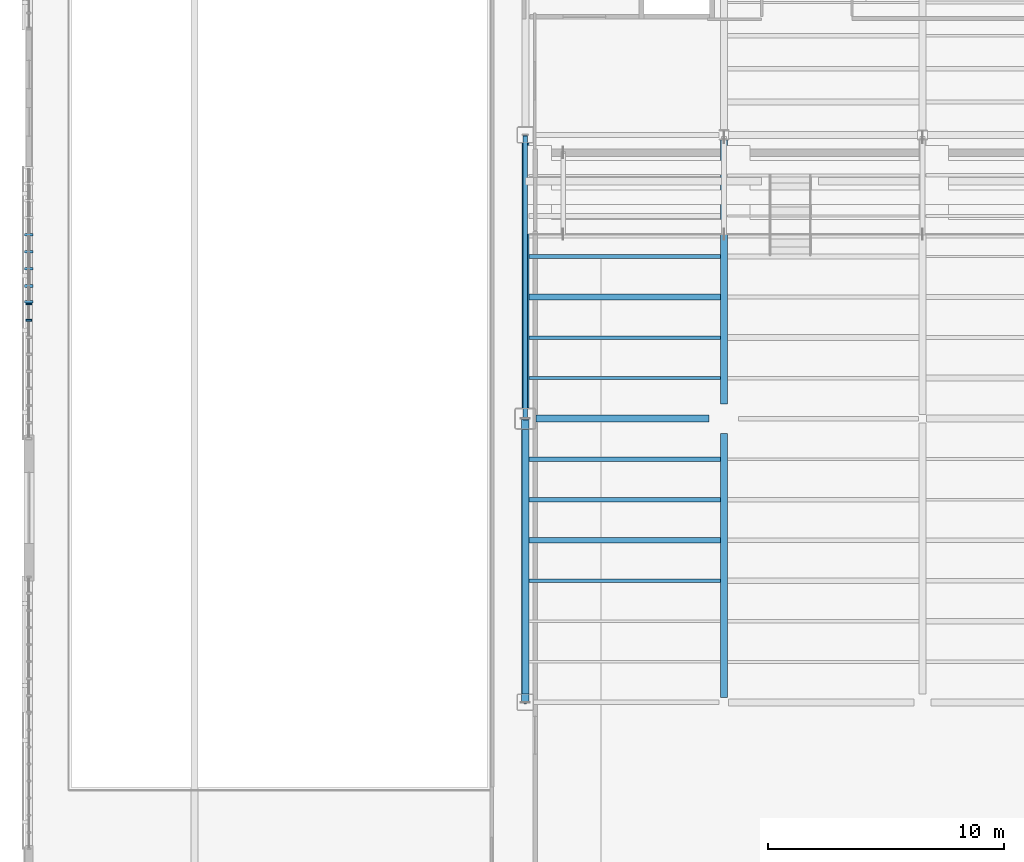
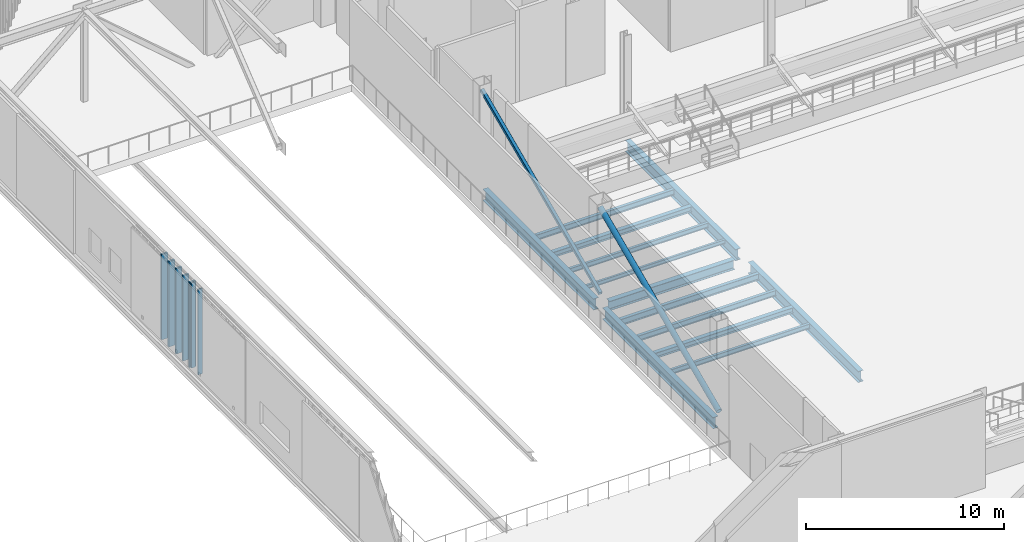
# One storey, part 17 of 135: 13 beams, 9 members, 2 elements without a shape of their own.
"""IFC4 building model written with IfcOpenShell, lengths in metres."""

import ifcopenshell
import ifcopenshell.guid

model = None  # the IFC model being written
_history = None  # IfcOwnerHistory: only IFC2X3 demands one
_inside = {}  # id of a spatial element -> (the spatial element, [elements in it])
_under = {}  # id of a project, library or spatial element -> (it, [spatial elements below it])
_declared = {}  # id of a project -> (the project, [libraries it declares])
_typed = {}  # id of a type object -> (the type object, [elements of that type])
_made_of = {}  # id of a material, layer set ... -> (it, [elements and type objects made of it])


def new_model(schema):
    """Start an empty IFC model of exactly this schema.

    Asked for "IFC4X3", IfcOpenShell would pick the latest addendum, in which some entities
    have other attributes; the version numbers below select the first issue.
    IFC2X3 requires an IfcOwnerHistory on every rooted entity: one is made here for all.
    """
    global model, _history
    if schema == "IFC4X3":
        model = ifcopenshell.file(schema_version=(4, 3, 0, 0))
    else:
        model = ifcopenshell.file(schema=schema)
    _inside.clear()
    _under.clear()
    _declared.clear()
    _typed.clear()
    _made_of.clear()
    _history = None
    if model.schema == "IFC2X3":
        org = make("IfcOrganization", Name="unknown")
        user = make(
            "IfcPersonAndOrganization",
            ThePerson=make("IfcPerson", FamilyName="unknown"),
            TheOrganization=org,
        )
        app = make(
            "IfcApplication",
            ApplicationDeveloper=org,
            Version="unknown",
            ApplicationFullName="unknown",
            ApplicationIdentifier="unknown",
        )
        _history = make(
            "IfcOwnerHistory",
            OwningUser=user,
            OwningApplication=app,
            ChangeAction="ADDED",
            CreationDate=0,
        )
    return model


def make(cls, **values):
    """One entity of the class cls with the attributes given. An attribute that is None is left unset."""
    return model.create_entity(
        cls, **{name: value for name, value in values.items() if value is not None}
    )


def rooted(cls, **values):
    """An entity with a GlobalId (a new one), such as an element, a storey or a relation."""
    return make(cls, GlobalId=ifcopenshell.guid.new(), OwnerHistory=_history, **values)


def si_unit(unit_type, name, prefix=None):
    """IfcSIUnit, for example si_unit("LENGTHUNIT", "METRE", prefix="MILLI")."""
    return make("IfcSIUnit", UnitType=unit_type, Prefix=prefix, Name=name)


def assignment(units):
    """IfcUnitAssignment: the units of a project."""
    return None if units is None else make("IfcUnitAssignment", Units=units)


def point(xyz):
    """IfcCartesianPoint."""
    return None if xyz is None else make("IfcCartesianPoint", Coordinates=xyz)


def direction(xyz):
    """IfcDirection."""
    return None if xyz is None else make("IfcDirection", DirectionRatios=xyz)


def frame(location, z_axis=None, x_axis=None):
    """IfcAxis2Placement3D, a coordinate frame: its origin and axes. An axis left out is left unset."""
    return make(
        "IfcAxis2Placement3D",
        Location=point(location),
        Axis=direction(z_axis),
        RefDirection=direction(x_axis),
    )


def frame_2d(location, x_axis=None):
    """IfcAxis2Placement2D, a coordinate frame in the plane: its origin and x axis."""
    return make(
        "IfcAxis2Placement2D", Location=point(location), RefDirection=direction(x_axis)
    )


def origin():
    """The frame at (0, 0, 0) with its axes left unset."""
    return frame((0.0, 0.0, 0.0))


def origin_2d():
    """The frame at (0, 0) in the plane with its x axis left unset."""
    return frame_2d((0.0, 0.0))


def place(relative_to, where):
    """IfcLocalPlacement: puts the frame where relative to a parent placement (None: the world)."""
    return make(
        "IfcLocalPlacement", PlacementRelTo=relative_to, RelativePlacement=where
    )


def context(
    kind, dimensions, precision=None, world=None, true_north=None, identifier=None
):
    """IfcGeometricRepresentationContext, for example the 3D "Model" context."""
    return make(
        "IfcGeometricRepresentationContext",
        ContextIdentifier=identifier,
        ContextType=kind,
        CoordinateSpaceDimension=dimensions,
        Precision=precision,
        WorldCoordinateSystem=world,
        TrueNorth=true_north,
    )


def subcontext(parent, identifier, kind, view, scale=None):
    """IfcGeometricRepresentationSubContext, for example "Body" below "Model"."""
    return make(
        "IfcGeometricRepresentationSubContext",
        ContextIdentifier=identifier,
        ContextType=kind,
        ParentContext=parent,
        TargetScale=scale,
        TargetView=view,
    )


def project(units=None, contexts=None):
    """IfcProject with its units and contexts."""
    return rooted(
        "IfcProject",
        Name="project",
        RepresentationContexts=contexts,
        UnitsInContext=assignment(units),
    )


def spatial(cls, under=None, at=None, **own):
    """A site, building, storey or space (cls), placed at a placement, below another one or the project."""
    s = rooted(cls, ObjectPlacement=at, **own)
    if under is not None:
        _under.setdefault(under.id(), (under, []))[1].append(s)
    return s


def profile(cls, at=None, kind="AREA", **sizes):
    """A parametric profile (cls). Its sizes go by their IFC names, for example OverallWidth=200.0."""
    return make(cls, ProfileType=kind, Position=at, **sizes)


def rectangle(**sizes):
    """IfcRectangleProfileDef."""
    return profile("IfcRectangleProfileDef", **sizes)


def hollow_rectangle(**sizes):
    """IfcRectangleHollowProfileDef."""
    return profile("IfcRectangleHollowProfileDef", **sizes)


def hollow_circle(**sizes):
    """IfcCircleHollowProfileDef."""
    return profile("IfcCircleHollowProfileDef", **sizes)


def i_section(**sizes):
    """IfcIShapeProfileDef."""
    return profile("IfcIShapeProfileDef", **sizes)


def extrude(swept, where, along, depth):
    """IfcExtrudedAreaSolid: the profile swept, set in the frame where, extruded along a direction by depth."""
    return make(
        "IfcExtrudedAreaSolid",
        SweptArea=swept,
        Position=where,
        ExtrudedDirection=direction(along),
        Depth=depth,
    )


def shape(context_of_items, identifier, shape_type, items):
    """IfcShapeRepresentation: the items that make up one representation, for example the "Body"."""
    return make(
        "IfcShapeRepresentation",
        ContextOfItems=context_of_items,
        RepresentationIdentifier=identifier,
        RepresentationType=shape_type,
        Items=items,
    )


def material(Name=None, Category=None):
    """IfcMaterial."""
    return make("IfcMaterial", Name=Name, Category=Category)


def material_profile(
    of_material, cross_section, Name=None, Category=None, Priority=None
):
    """IfcMaterialProfile: a cross section and its material."""
    return make(
        "IfcMaterialProfile",
        Name=Name,
        Material=of_material,
        Profile=cross_section,
        Priority=Priority,
        Category=Category,
    )


def profile_set(profiles, Name=None, composite=None):
    """IfcMaterialProfileSet."""
    return make(
        "IfcMaterialProfileSet",
        Name=Name,
        MaterialProfiles=profiles,
        CompositeProfile=composite,
    )


def made_of(thing, what):
    """Note that an element or type object is made of a material, layer set ...; save() writes the relation."""
    if what is not None:
        _made_of.setdefault(what.id(), (what, []))[1].append(thing)
    return thing


def type_object(cls, material=None, **own):
    """A type object (cls), such as IfcWallType, which elements share."""
    return made_of(rooted(cls, **own), material)


def element(
    cls,
    number,
    at=None,
    inside=None,
    cuts=None,
    type_object=None,
    material=None,
    context=None,
    identifier="Body",
    shape_type=None,
    held_by="IfcProductDefinitionShape",
    body=None,
    shapes=None,
    **own,
):
    """One element of the class cls, such as IfcWall. Its Tag is "e" and its number.

    at: its placement. inside: the storey or other place that contains it. cuts: it is an
    opening in that element (IfcRelVoidsElement). A single representation is given by context,
    identifier, shape_type and body (its items); several are given by shapes. held_by: the class
    of the entity that holds the representations. save() writes the other relations.
    """
    e = rooted(cls, Tag="e%d" % number, ObjectPlacement=at, **own)
    if body is not None:
        shapes = [shape(context, identifier, shape_type, body)]
    if shapes is not None:
        e.Representation = make(held_by, Representations=shapes)
    if inside is not None:
        _inside.setdefault(inside.id(), (inside, []))[1].append(e)
    if cuts is not None:
        rooted(
            "IfcRelVoidsElement", RelatingBuildingElement=cuts, RelatedOpeningElement=e
        )
    if type_object is not None:
        _typed.setdefault(type_object.id(), (type_object, []))[1].append(e)
    return made_of(e, material)


def aggregate(whole, parts):
    """IfcRelAggregates: a whole, such as a stair, and the parts it consists of."""
    return rooted("IfcRelAggregates", RelatingObject=whole, RelatedObjects=parts)


def save(model, path):
    """Write the relations noted so far, then the file.

    IfcRelAggregates (storeys below a building ...), IfcRelContainedInSpatialStructure (elements
    in a storey), IfcRelDefinesByType, IfcRelAssociatesMaterial and IfcRelDeclares: one each for
    every whole, place, type object, material and project.
    """
    for whole, parts in _under.values():
        aggregate(whole, parts)
    for where, things in _inside.values():
        rooted(
            "IfcRelContainedInSpatialStructure",
            RelatedElements=things,
            RelatingStructure=where,
        )
    for kind, things in _typed.values():
        rooted("IfcRelDefinesByType", RelatedObjects=things, RelatingType=kind)
    for what, things in _made_of.values():
        rooted("IfcRelAssociatesMaterial", RelatedObjects=things, RelatingMaterial=what)
    for by, libraries in _declared.values():
        rooted("IfcRelDeclares", RelatingContext=by, RelatedDefinitions=libraries)
    model.write(path)


model = new_model("IFC4")

# Units and contexts
model_context = context("Model", 3, precision=1e-05, world=origin(), true_north=direction((0.0, 1.0)))
body_context = subcontext(model_context, "Body", "Model", "MODEL_VIEW")
ifc_project = project(units=[si_unit("LENGTHUNIT", "METRE"), si_unit("AREAUNIT", "SQUARE_METRE"), si_unit("VOLUMEUNIT", "CUBIC_METRE"), si_unit("PLANEANGLEUNIT", "RADIAN"), si_unit("MASSUNIT", "GRAM", prefix="KILO")], contexts=[model_context])

# Site, building, storey
site_placement = place(None, origin())
site = spatial("IfcSite", under=ifc_project, at=site_placement, CompositionType="ELEMENT")
building_placement = place(site_placement, origin())
building = spatial("IfcBuilding", under=site, at=building_placement, Name="Larkvane Passage Sports Hall", CompositionType="ELEMENT")
storey_placement = place(building_placement, frame((0.0, 0.0, 10.800048828125)))
storey = spatial("IfcBuildingStorey", under=building, at=storey_placement, Name="L02", CompositionType="ELEMENT", Elevation=10.800048828125)

# Beams
ifc_material_1 = material(Name="Steel S460N", Category="steel")
ifc_material_profile_1 = material_profile(ifc_material_1, i_section(OverallWidth=0.300048828125, OverallDepth=0.587890625, WebThickness=0.011962890625, FlangeThickness=0.02001953125, FilletRadius=0.02197265625, at=origin_2d()), Name="H-588x300x12x20")
ifc_profile_set_1 = profile_set([ifc_material_profile_1], Name="Steel S460N")
beam_type_1 = type_object("IfcBeamType", Name="BM-STL-H588", PredefinedType="BEAM", material=ifc_profile_set_1)
beam_1_placement = place(storey_placement, frame((35.25, 63.60009765625, -0.714111328125), z_axis=(1.0, 0.0, 0.0), x_axis=(0.0, 1.0, 0.0)))
element("IfcBeam", 1, at=beam_1_placement, inside=storey, type_object=beam_type_1, Name="Girder BM5-X-L02-H-0708", PredefinedType="BEAM", context=body_context, shape_type="SweptSolid", body=[
    extrude(i_section(OverallWidth=0.300048828125, OverallDepth=0.587890625, WebThickness=0.011962890625, FlangeThickness=0.02001953125, FilletRadius=0.02197265625, at=origin_2d()), origin(), (0.0, 0.0, 1.0), 7.324951171875),
])
ifc_material_profile_2 = material_profile(ifc_material_1, i_section(OverallWidth=0.300048828125, OverallDepth=0.69189453125, WebThickness=0.012939453125, FlangeThickness=0.02001953125, FilletRadius=0.02197265625, at=origin_2d()), Name="H-692x300x13x20")
ifc_profile_set_2 = profile_set([ifc_material_profile_2], Name="Steel S460N")
beam_type_2 = type_object("IfcBeamType", Name="BM-STL-H692", PredefinedType="BEAM", material=ifc_profile_set_2)
beam_2_placement = place(storey_placement, frame((34.800048828125, 51.949951171875, -0.76611328125), z_axis=(0.0, 1.0, 0.0), x_axis=(-1.0, 0.0, 0.0)))
element("IfcBeam", 2, at=beam_2_placement, inside=storey, type_object=beam_type_2, Name="Girder BM5-Y-L02-6-0738", PredefinedType="BEAM", context=body_context, shape_type="SweptSolid", body=[
    extrude(i_section(OverallWidth=0.300048828125, OverallDepth=0.69189453125, WebThickness=0.012939453125, FlangeThickness=0.02001953125, FilletRadius=0.02197265625, at=origin_2d()), origin(), (0.0, 0.0, 1.0), 11.199951171875),
])
beam_3_placement = place(storey_placement, frame((43.199951171875, 51.800048828125, -0.76611328125), z_axis=(0.0, 1.0, 0.0), x_axis=(-1.0, 0.0, 0.0)))
element("IfcBeam", 3, at=beam_3_placement, inside=storey, type_object=beam_type_2, Name="Girder BM5-Y-L02-7-0742", PredefinedType="BEAM", context=body_context, shape_type="SweptSolid", body=[
    extrude(i_section(OverallWidth=0.300048828125, OverallDepth=0.69189453125, WebThickness=0.012939453125, FlangeThickness=0.02001953125, FilletRadius=0.02197265625, at=origin_2d()), origin(), (0.0, 0.0, 1.0), 11.175048828125),
])
ifc_material_profile_3 = material_profile(ifc_material_1, i_section(OverallWidth=0.300048828125, OverallDepth=0.699951171875, WebThickness=0.012939453125, FlangeThickness=0.02392578125, FilletRadius=0.02197265625, at=origin_2d()), Name="H-700x300x13x24")
ifc_profile_set_3 = profile_set([ifc_material_profile_3], Name="Steel S460N")
beam_type_3 = type_object("IfcBeamType", Name="BM-STL-H700", PredefinedType="BEAM", material=ifc_profile_set_3)
beam_4_placement = place(storey_placement, frame((34.800048828125, 64.050048828125, -0.77001953125), z_axis=(0.0, 1.0, 0.0), x_axis=(-1.0, 0.0, 0.0)))
element("IfcBeam", 4, at=beam_4_placement, inside=storey, type_object=beam_type_3, Name="Girder BM5-Y-L02-6-0739", PredefinedType="BEAM", context=body_context, shape_type="SweptSolid", body=[
    extrude(i_section(OverallWidth=0.300048828125, OverallDepth=0.699951171875, WebThickness=0.012939453125, FlangeThickness=0.02392578125, FilletRadius=0.02197265625, at=origin_2d()), origin(), (0.0, 0.0, 1.0), 11.199951171875),
])
beam_5_placement = place(storey_placement, frame((43.199951171875, 64.22509765625, -0.77001953125), z_axis=(0.0, 1.0, 0.0), x_axis=(-1.0, 0.0, 0.0)))
element("IfcBeam", 5, at=beam_5_placement, inside=storey, type_object=beam_type_3, Name="Girder BM5-Y-L02-7-0743", PredefinedType="BEAM", context=body_context, shape_type="SweptSolid", body=[
    extrude(i_section(OverallWidth=0.300048828125, OverallDepth=0.699951171875, WebThickness=0.012939453125, FlangeThickness=0.02392578125, FilletRadius=0.02197265625, at=origin_2d()), origin(), (0.0, 0.0, 1.0), 11.160888671875),
])

# Curtain wall, members
ifc_material_2 = material(Name="Thermally broken aluminium and low-E glazing", Category="aluminium")
curtain_wall_type_1 = type_object("IfcCurtainWallType", Name="CW-CLINIC", PredefinedType="USERDEFINED", material=ifc_material_2)
curtain_wall_1_placement = place(storey_placement, origin())
curtain_wall_1 = element("IfcCurtainWall", 6, at=curtain_wall_1_placement, inside=storey, type_object=curtain_wall_type_1, Name="Curtain wall CW5-L02-095", ObjectType="UNITISED CURTAIN WALL", PredefinedType="USERDEFINED")
ifc_material_3 = material(Name="Anodised aluminium 6063-T6", Category="aluminium")
ifc_material_profile_4 = material_profile(ifc_material_3, rectangle(XDim=0.110107421875, YDim=0.360107421875, at=origin_2d()), Name="ALU-MUL-110x360")
ifc_profile_set_4 = profile_set([ifc_material_profile_4], Name="Anodised aluminium 6063-T6")
member_type_1 = type_object("IfcMemberType", Name="CW-MUL-110x360", PredefinedType="MULLION", material=ifc_profile_set_4)
member_1_placement = place(storey_placement, frame((13.800048828125, 68.5439453125, 0.0), z_axis=(0.0, 0.0, 1.0), x_axis=(0.0, 1.0, 0.0)))
member_1 = element("IfcMember", 7, at=member_1_placement, type_object=member_type_1, Name="CW-05 mullion 1", PredefinedType="MULLION", context=body_context, shape_type="SweptSolid", body=[
    extrude(rectangle(XDim=0.110107421875, YDim=0.360107421875, at=origin_2d()), origin(), (0.0, 0.0, 1.0), 5.27783203125),
])
member_2_placement = place(storey_placement, frame((13.800048828125, 69.211181640625, 0.0), z_axis=(0.0, 0.0, 1.0), x_axis=(0.0, 1.0, 0.0)))
member_2 = element("IfcMember", 8, at=member_2_placement, type_object=member_type_1, Name="CW-05 mullion 2", PredefinedType="MULLION", context=body_context, shape_type="SweptSolid", body=[
    extrude(rectangle(XDim=0.110107421875, YDim=0.360107421875, at=origin_2d()), origin(), (0.0, 0.0, 1.0), 5.27783203125),
])
member_3_placement = place(storey_placement, frame((13.800048828125, 69.933349609375, 0.0), z_axis=(0.0, 0.0, 1.0), x_axis=(0.0, 1.0, 0.0)))
member_3 = element("IfcMember", 9, at=member_3_placement, type_object=member_type_1, Name="CW-05 mullion 3", PredefinedType="MULLION", context=body_context, shape_type="SweptSolid", body=[
    extrude(rectangle(XDim=0.110107421875, YDim=0.360107421875, at=origin_2d()), origin(), (0.0, 0.0, 1.0), 5.27783203125),
])
member_4_placement = place(storey_placement, frame((13.800048828125, 70.655517578125, 0.0), z_axis=(0.0, 0.0, 1.0), x_axis=(0.0, 1.0, 0.0)))
member_4 = element("IfcMember", 10, at=member_4_placement, type_object=member_type_1, Name="CW-05 mullion 4", PredefinedType="MULLION", context=body_context, shape_type="SweptSolid", body=[
    extrude(rectangle(XDim=0.110107421875, YDim=0.360107421875, at=origin_2d()), origin(), (0.0, 0.0, 1.0), 5.27783203125),
])
member_5_placement = place(storey_placement, frame((13.800048828125, 71.377685546875, 0.0), z_axis=(0.0, 0.0, 1.0), x_axis=(0.0, 1.0, 0.0)))
member_5 = element("IfcMember", 11, at=member_5_placement, type_object=member_type_1, Name="CW-05 mullion 5", PredefinedType="MULLION", context=body_context, shape_type="SweptSolid", body=[
    extrude(rectangle(XDim=0.110107421875, YDim=0.360107421875, at=origin_2d()), origin(), (0.0, 0.0, 1.0), 5.27783203125),
])
aggregate(curtain_wall_1, [member_1, member_2, member_3, member_4, member_5])

curtain_wall_type_2 = type_object("IfcCurtainWallType", Name="CW-STICK-FOYER", PredefinedType="USERDEFINED", material=ifc_material_2)
curtain_wall_2_placement = place(storey_placement, origin())
curtain_wall_2 = element("IfcCurtainWall", 12, at=curtain_wall_2_placement, inside=storey, type_object=curtain_wall_type_2, Name="Curtain wall CW5-L02-094", ObjectType="STICK CURTAIN WALL", PredefinedType="USERDEFINED")
ifc_material_profile_5 = material_profile(ifc_material_3, rectangle(XDim=0.080078125, YDim=0.25, at=origin_2d()), Name="ALU-MUL-80x250")
ifc_profile_set_5 = profile_set([ifc_material_profile_5], Name="Anodised aluminium 6063-T6")
member_type_2 = type_object("IfcMemberType", Name="CW-MUL-80x250", PredefinedType="MULLION", material=ifc_profile_set_5)
member_6_placement = place(storey_placement, frame((13.800048828125, 67.7666015625, 0.0), z_axis=(0.0, 0.0, 1.0), x_axis=(0.0, 1.0, 0.0)))
member_6 = element("IfcMember", 13, at=member_6_placement, type_object=member_type_2, Name="CW-03 mullion 8", PredefinedType="MULLION", context=body_context, shape_type="SweptSolid", body=[
    extrude(rectangle(XDim=0.080078125, YDim=0.25, at=origin_2d()), origin(), (0.0, 0.0, 1.0), 5.27783203125),
])
member_7_placement = place(storey_placement, frame((13.800048828125, 68.448974609375, 0.0), z_axis=(0.0, 0.0, 1.0), x_axis=(0.0, 1.0, 0.0)))
member_7 = element("IfcMember", 14, at=member_7_placement, type_object=member_type_2, Name="CW-03 mullion 9", PredefinedType="MULLION", context=body_context, shape_type="SweptSolid", body=[
    extrude(rectangle(XDim=0.080078125, YDim=0.25, at=origin_2d()), origin(), (0.0, 0.0, 1.0), 5.27783203125),
])
aggregate(curtain_wall_2, [member_6, member_7])

# Beams
ifc_material_4 = material(Name="Steel S355JR", Category="steel")
ifc_material_profile_6 = material_profile(ifc_material_4, i_section(OverallWidth=0.125, OverallDepth=0.25, WebThickness=0.006103515625, FlangeThickness=0.009033203125, FilletRadius=0.008056640625, at=origin_2d()), Name="H-250x125x6x9")
ifc_profile_set_6 = profile_set([ifc_material_profile_6], Name="Steel S355JR")
beam_type_4 = type_object("IfcBeamType", Name="JST-STL-H250", PredefinedType="JOIST", material=ifc_profile_set_6)
beam_6_placement = place(storey_placement, frame((34.949951171875, 65.314208984375, -0.545166015625), z_axis=(1.0, 0.0, 0.0), x_axis=(0.0, 1.0, 0.0)))
element("IfcBeam", 15, at=beam_6_placement, inside=storey, type_object=beam_type_4, Name="Composite joist L02 6/H-1", PredefinedType="JOIST", context=body_context, shape_type="SweptSolid", body=[
    extrude(i_section(OverallWidth=0.125, OverallDepth=0.25, WebThickness=0.006103515625, FlangeThickness=0.009033203125, FilletRadius=0.008056640625, at=origin_2d()), origin(), (0.0, 0.0, 1.0), 8.10009765625),
])
ifc_material_profile_7 = material_profile(ifc_material_4, i_section(OverallWidth=0.14990234375, OverallDepth=0.300048828125, WebThickness=0.006591796875, FlangeThickness=0.009033203125, FilletRadius=0.012939453125, at=origin_2d()), Name="H-300x150x6.5x9")
ifc_profile_set_7 = profile_set([ifc_material_profile_7], Name="Steel S355JR")
beam_type_5 = type_object("IfcBeamType", Name="JST-STL-H300", PredefinedType="JOIST", material=ifc_profile_set_7)
for number, where, z_axis, x_axis, name in (
    (16, (34.949951171875, 56.742919921875, -0.570068359375), (1.0, 0.0, 0.0), (0.0, 1.0, 0.0), "Composite joist L02 6/G-3"),
    (17, (34.949951171875, 67.028564453125, -0.570068359375), (1.0, 0.0, 0.0), (0.0, 1.0, 0.0), "Composite joist L02 6/H-2"),
):
    element("IfcBeam", number, at=place(storey_placement, frame(where, z_axis=z_axis, x_axis=x_axis)), inside=storey, type_object=beam_type_5, Name=name, PredefinedType="JOIST", context=body_context, shape_type="SweptSolid", body=[
        extrude(i_section(OverallWidth=0.14990234375, OverallDepth=0.300048828125, WebThickness=0.006591796875, FlangeThickness=0.009033203125, FilletRadius=0.012939453125, at=origin_2d()), origin(), (0.0, 0.0, 1.0), 8.10009765625),
    ])
ifc_material_profile_8 = material_profile(ifc_material_4, i_section(OverallWidth=0.25, OverallDepth=0.340087890625, WebThickness=0.009033203125, FlangeThickness=0.013916015625, FilletRadius=0.012939453125, at=origin_2d()), Name="H-340x250x9x14")
ifc_profile_set_8 = profile_set([ifc_material_profile_8], Name="Steel S355JR")
beam_type_6 = type_object("IfcBeamType", Name="JST-STL-H340", PredefinedType="JOIST", material=ifc_profile_set_8)
for number, where, z_axis, x_axis, name in (
    (18, (34.949951171875, 58.45703125, -0.590087890625), (1.0, 0.0, 0.0), (0.0, 1.0, 0.0), "Composite joist L02 6/G-4"),
    (19, (34.949951171875, 68.742919921875, -0.590087890625), (1.0, 0.0, 0.0), (0.0, 1.0, 0.0), "Composite joist L02 6/H-3"),
):
    element("IfcBeam", number, at=place(storey_placement, frame(where, z_axis=z_axis, x_axis=x_axis)), inside=storey, type_object=beam_type_6, Name=name, PredefinedType="JOIST", context=body_context, shape_type="SweptSolid", body=[
        extrude(i_section(OverallWidth=0.25, OverallDepth=0.340087890625, WebThickness=0.009033203125, FlangeThickness=0.013916015625, FilletRadius=0.012939453125, at=origin_2d()), origin(), (0.0, 0.0, 1.0), 8.10009765625),
    ])
ifc_material_profile_9 = material_profile(ifc_material_4, i_section(OverallWidth=0.175048828125, OverallDepth=0.35009765625, WebThickness=0.007080078125, FlangeThickness=0.010986328125, FilletRadius=0.012939453125, at=origin_2d()), Name="H-350x175x7x11")
ifc_profile_set_9 = profile_set([ifc_material_profile_9], Name="Steel S355JR")
beam_type_7 = type_object("IfcBeamType", Name="JST-STL-H350", PredefinedType="JOIST", material=ifc_profile_set_9)
for number, where, z_axis, x_axis, name in (
    (20, (34.949951171875, 60.17138671875, -0.594970703125), (1.0, 0.0, 0.0), (0.0, 1.0, 0.0), "Composite joist L02 6/G-5"),
    (21, (34.949951171875, 70.45703125, -0.594970703125), (1.0, 0.0, 0.0), (0.0, 1.0, 0.0), "Composite joist L02 6/H-4"),
):
    element("IfcBeam", number, at=place(storey_placement, frame(where, z_axis=z_axis, x_axis=x_axis)), inside=storey, type_object=beam_type_7, Name=name, PredefinedType="JOIST", context=body_context, shape_type="SweptSolid", body=[
        extrude(i_section(OverallWidth=0.175048828125, OverallDepth=0.35009765625, WebThickness=0.007080078125, FlangeThickness=0.010986328125, FilletRadius=0.012939453125, at=origin_2d()), origin(), (0.0, 0.0, 1.0), 8.10009765625),
    ])
ifc_material_profile_10 = material_profile(ifc_material_4, i_section(OverallWidth=0.199951171875, OverallDepth=0.39990234375, WebThickness=0.008056640625, FlangeThickness=0.012939453125, FilletRadius=0.012939453125, at=origin_2d()), Name="H-400x200x8x13")
ifc_profile_set_10 = profile_set([ifc_material_profile_10], Name="Steel S355JR")
beam_type_8 = type_object("IfcBeamType", Name="JST-STL-H400", PredefinedType="JOIST", material=ifc_profile_set_10)
beam_7_placement = place(storey_placement, frame((34.949951171875, 61.8857421875, -0.6201171875), z_axis=(1.0, 0.0, 0.0), x_axis=(0.0, 1.0, 0.0)))
element("IfcBeam", 22, at=beam_7_placement, inside=storey, type_object=beam_type_8, Name="Composite joist L02 6/G-6", PredefinedType="JOIST", context=body_context, shape_type="SweptSolid", body=[
    extrude(i_section(OverallWidth=0.199951171875, OverallDepth=0.39990234375, WebThickness=0.008056640625, FlangeThickness=0.012939453125, FilletRadius=0.012939453125, at=origin_2d()), origin(), (0.0, 0.0, 1.0), 8.10009765625),
])

# Members
ifc_material_profile_11 = material_profile(ifc_material_1, hollow_circle(Radius=0.1591796875, WallThickness=0.01025390625, at=origin_2d()), Name="CHS-318.5x10.3")
ifc_profile_set_11 = profile_set([ifc_material_profile_11], Name="Steel S460N")
member_type_3 = type_object("IfcMemberType", Name="MBR-BR-CHS318", PredefinedType="BRACE", material=ifc_profile_set_11)
member_8_placement = place(storey_placement, frame((34.800048828125, 51.60009765625, 0.14990234375), z_axis=(0.0, 0.914750753002, 0.404018638039), x_axis=(-1.0, 0.0, 0.0)))
element("IfcMember", 23, at=member_8_placement, inside=storey, type_object=member_type_3, Name="Lateral frame brace L02-1", PredefinedType="BRACE", context=body_context, shape_type="SweptSolid", body=[
    extrude(hollow_circle(Radius=0.1591796875, WallThickness=0.01025390625, at=origin_2d()), origin(), (0.0, 0.0, 1.0), 13.118408203125),
])
ifc_material_profile_12 = material_profile(ifc_material_4, hollow_rectangle(XDim=0.199951171875, YDim=0.199951171875, WallThickness=0.009033203125, InnerFilletRadius=0.009033203125, OuterFilletRadius=0.01806640625, at=origin_2d()), Name="SHS-200x200x9")
ifc_profile_set_12 = profile_set([ifc_material_profile_12], Name="Steel S355JR")
member_type_4 = type_object("IfcMemberType", Name="MBR-BR-SHS200", PredefinedType="BRACE", material=ifc_profile_set_12)
member_9_placement = place(storey_placement, frame((34.800048828125, 63.60009765625, 0.14990234375), z_axis=(0.0, 0.914750753002, 0.404018638039), x_axis=(-1.0, 0.0, 0.0)))
element("IfcMember", 24, at=member_9_placement, inside=storey, type_object=member_type_4, Name="Lateral frame brace L02-2", PredefinedType="BRACE", context=body_context, shape_type="SweptSolid", body=[
    extrude(hollow_rectangle(XDim=0.199951171875, YDim=0.199951171875, WallThickness=0.009033203125, InnerFilletRadius=0.009033203125, OuterFilletRadius=0.01806640625, at=origin_2d()), origin(), (0.0, 0.0, 1.0), 13.118408203125),
])

save(model, "model.ifc")
